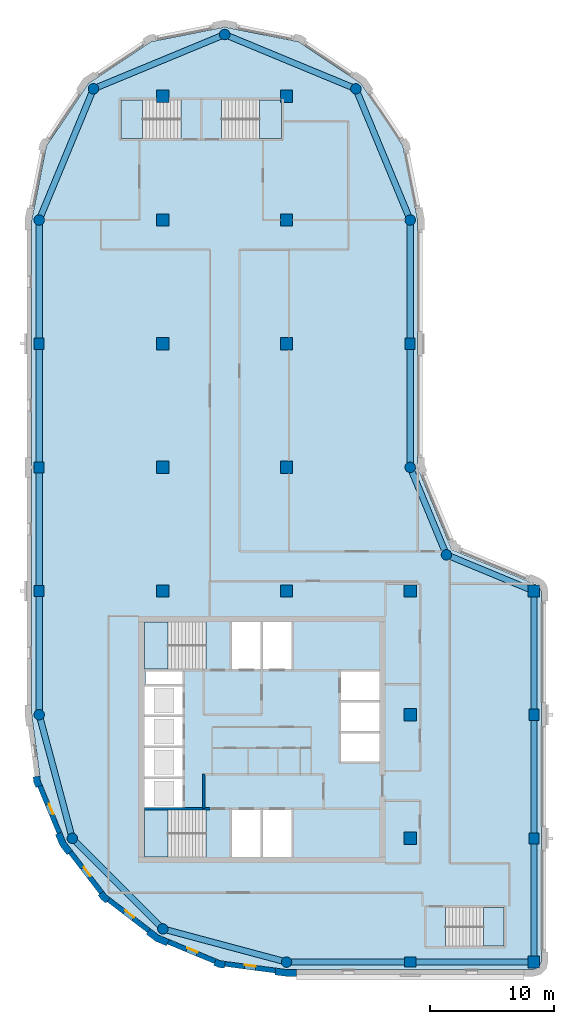
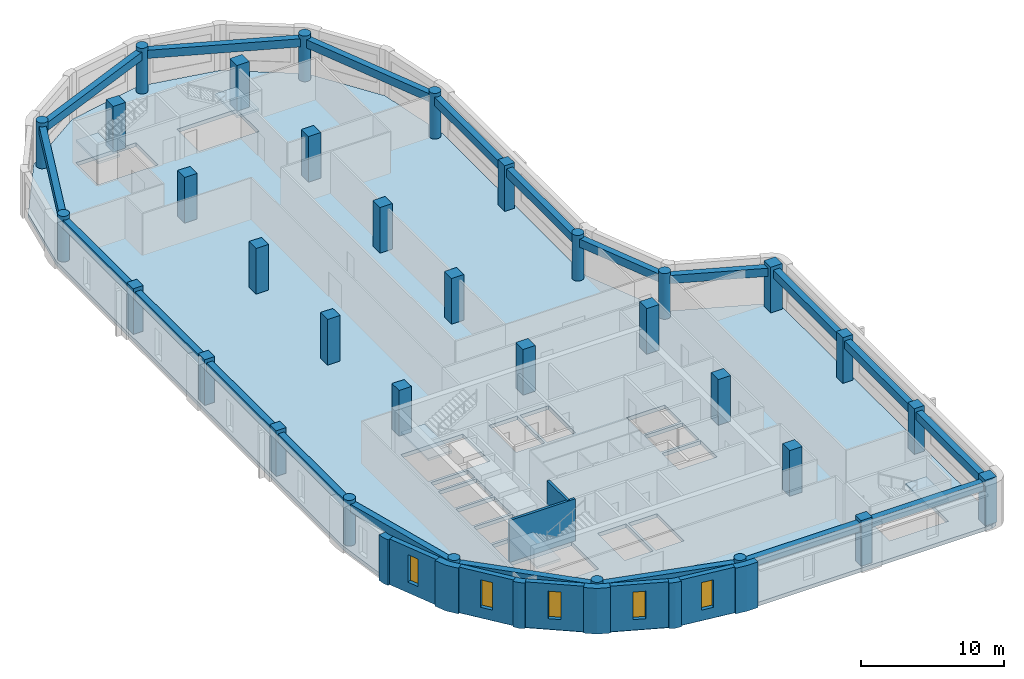
# One storey, part 1 of 8: 33 columns, 20 beams, 13 walls, 6 slabs, 5 windows, 5 openings, 5 elements without a shape of their own.
"""IFC4 building model written with IfcOpenShell, lengths in metres."""

from ifc_helpers import new_model, si_unit, direction, frame, frame_2d, origin, origin_2d, place, context, subcontext, project, spatial, polyline, rectangle, circle, outline, extrude, material, layer, layer_set, material_profile, profile_set, type_object, element, fill, aggregate, save


model = new_model("IFC4")

# Units and contexts
model_context = context("Model", 3, precision=1e-05, world=origin(), true_north=direction((0.0, 1.0)))
body_context = subcontext(model_context, "Body", "Model", "MODEL_VIEW")
ifc_project = project(units=[si_unit("LENGTHUNIT", "METRE"), si_unit("AREAUNIT", "SQUARE_METRE"), si_unit("VOLUMEUNIT", "CUBIC_METRE"), si_unit("PLANEANGLEUNIT", "RADIAN"), si_unit("MASSUNIT", "GRAM", prefix="KILO")], contexts=[model_context])

# Site, building, storey
site_placement = place(None, origin())
site = spatial("IfcSite", under=ifc_project, at=site_placement, CompositionType="ELEMENT")
building_placement = place(site_placement, origin())
building = spatial("IfcBuilding", under=site, at=building_placement, Name="Qaws Garden Tower", CompositionType="ELEMENT")
storey_placement = place(building_placement, frame((0.0, 0.0, 337.199951171875)))
storey = spatial("IfcBuildingStorey", under=building, at=storey_placement, Name="L82", CompositionType="ELEMENT", Elevation=337.199951171875)

# Columns
ifc_material_1 = material(Name="Concrete C60", Category="concrete")
ifc_material_profile_1 = material_profile(ifc_material_1, rectangle(XDim=1.0, YDim=1.0, at=origin_2d()), Name="RC 1000x1000")
ifc_profile_set_1 = profile_set([ifc_material_profile_1], Name="Concrete C60")
column_type_1 = type_object("IfcColumnType", Name="Column RC 1000x1000 C60", PredefinedType="COLUMN", material=ifc_profile_set_1)
for number, where, z_axis, x_axis, name in (
    (1, (10.0, 30.0, 0.0), (0.0, 0.0, 1.0), (1.0, 0.0, 0.0), "Column L82-021"),
    (2, (10.0, 40.0, 0.0), (0.0, 0.0, 1.0), (1.0, 0.0, 0.0), "Column L82-022"),
    (3, (10.0, 50.0, 0.0), (0.0, 0.0, 1.0), (1.0, 0.0, 0.0), "Column L82-023"),
    (4, (10.0, 60.0, 0.0), (0.0, 0.0, 1.0), (1.0, 0.0, 0.0), "Column L82-024"),
    (5, (10.0, 70.0, 0.0), (0.0, 0.0, 1.0), (1.0, 0.0, 0.0), "Column L82-025"),
    (6, (20.0, 30.0, 0.0), (0.0, 0.0, 1.0), (1.0, 0.0, 0.0), "Column L82-026"),
    (7, (20.0, 40.0, 0.0), (0.0, 0.0, 1.0), (1.0, 0.0, 0.0), "Column L82-027"),
    (8, (20.0, 50.0, 0.0), (0.0, 0.0, 1.0), (1.0, 0.0, 0.0), "Column L82-028"),
    (9, (20.0, 60.0, 0.0), (0.0, 0.0, 1.0), (1.0, 0.0, 0.0), "Column L82-029"),
    (10, (20.0, 70.0, 0.0), (0.0, 0.0, 1.0), (1.0, 0.0, 0.0), "Column L82-030"),
    (11, (30.0, 10.0, 0.0), (0.0, 0.0, 1.0), (1.0, 0.0, 0.0), "Column L82-031"),
    (12, (30.0, 20.0, 0.0), (0.0, 0.0, 1.0), (1.0, 0.0, 0.0), "Column L82-032"),
    (13, (30.0, 30.0, 0.0), (0.0, 0.0, 1.0), (1.0, 0.0, 0.0), "Column L82-033"),
):
    element("IfcColumn", number, at=place(storey_placement, frame(where, z_axis=z_axis, x_axis=x_axis)), inside=storey, type_object=column_type_1, Name=name, PredefinedType="COLUMN", context=body_context, shape_type="SweptSolid", body=[
        extrude(rectangle(XDim=1.0, YDim=1.0, at=origin_2d()), origin(), (0.0, 0.0, 1.0), 3.900146484375),
    ])
ifc_material_2 = material(Name="Concrete C60", Category="concrete")
ifc_material_profile_2 = material_profile(ifc_material_2, rectangle(XDim=0.89990234375, YDim=0.800048828125, at=origin_2d()), Name="RC 900x800")
ifc_profile_set_2 = profile_set([ifc_material_profile_2], Name="Concrete C60")
column_type_2 = type_object("IfcColumnType", Name="Column RC 900x800 C60", PredefinedType="COLUMN", material=ifc_profile_set_2)
for number, where, z_axis, x_axis, name in (
    (14, (30.0, 0.0, 0.0), (0.0, 0.0, 1.0), (1.0, 0.0, 0.0), "Column L82-002"),
    (15, (40.0, 10.0, 0.0), (0.0, 0.0, 1.0), (0.0, 1.0, 0.0), "Column L82-004"),
    (16, (40.0, 20.0, 0.0), (0.0, 0.0, 1.0), (0.0, 1.0, 0.0), "Column L82-005"),
    (17, (30.0, 50.0, 0.0), (0.0, 0.0, 1.0), (0.0, 1.0, 0.0), "Column L82-009"),
    (18, (0.0, 50.0, 0.0), (0.0, 0.0, 1.0), (0.0, 1.0, 0.0), "Column L82-015"),
    (19, (0.0, 40.0, 0.0), (0.0, 0.0, 1.0), (0.0, 1.0, 0.0), "Column L82-016"),
    (20, (0.0, 30.0, 0.0), (0.0, 0.0, 1.0), (0.0, 1.0, 0.0), "Column L82-017"),
):
    element("IfcColumn", number, at=place(storey_placement, frame(where, z_axis=z_axis, x_axis=x_axis)), inside=storey, type_object=column_type_2, Name=name, PredefinedType="COLUMN", context=body_context, shape_type="SweptSolid", body=[
        extrude(rectangle(XDim=0.89990234375, YDim=0.800048828125, at=origin_2d()), origin(), (0.0, 0.0, 1.0), 3.900146484375),
    ])
ifc_material_3 = material(Name="Concrete C60", Category="concrete")
ifc_material_profile_3 = material_profile(ifc_material_3, rectangle(XDim=0.949951171875, YDim=0.949951171875, at=origin_2d()), Name="RC 950x950")
ifc_profile_set_3 = profile_set([ifc_material_profile_3], Name="Concrete C60")
column_type_3 = type_object("IfcColumnType", Name="Column RC 950x950 C60", PredefinedType="COLUMN", material=ifc_profile_set_3)
for number, where, z_axis, x_axis, name in (
    (21, (40.0, 0.0, 0.0), (0.0, 0.0, 1.0), (1.0, 0.0, 0.0), "Column L82-003"),
    (22, (40.0, 30.0, 0.0), (0.0, 0.0, 1.0), (1.0, 0.0, 0.0), "Column L82-006"),
):
    element("IfcColumn", number, at=place(storey_placement, frame(where, z_axis=z_axis, x_axis=x_axis)), inside=storey, type_object=column_type_3, Name=name, PredefinedType="COLUMN", context=body_context, shape_type="SweptSolid", body=[
        extrude(rectangle(XDim=0.949951171875, YDim=0.949951171875, at=origin_2d()), origin(), (0.0, 0.0, 1.0), 3.900146484375),
    ])
ifc_material_4 = material(Name="Concrete C60", Category="concrete")
ifc_material_profile_4 = material_profile(ifc_material_4, circle(Radius=0.425048828125, at=origin_2d()), Name="RC D850")
ifc_profile_set_4 = profile_set([ifc_material_profile_4], Name="Concrete C60")
column_type_4 = type_object("IfcColumnType", Name="Column RC D850 C60", PredefinedType="COLUMN", material=ifc_profile_set_4)
for number, where, z_axis, x_axis, name in (
    (23, (20.0, 0.0, 0.0), (0.0, 0.0, 1.0), (1.0, 0.0, 0.0), "Column L82-001"),
    (24, (32.928955078125, 32.928955078125, 0.0), (0.0, 0.0, 1.0), (1.0, 0.0, 0.0), "Column L82-007"),
    (25, (30.0, 40.0, 0.0), (0.0, 0.0, 1.0), (1.0, 0.0, 0.0), "Column L82-008"),
    (26, (30.0, 60.0, 0.0), (0.0, 0.0, 1.0), (1.0, 0.0, 0.0), "Column L82-010"),
    (27, (25.606689453125, 70.606689453125, 0.0), (0.0, 0.0, 1.0), (1.0, 0.0, 0.0), "Column L82-011"),
    (28, (15.0, 75.0, 0.0), (0.0, 0.0, 1.0), (1.0, 0.0, 0.0), "Column L82-012"),
    (29, (4.393310546875, 70.606689453125, 0.0), (0.0, 0.0, 1.0), (1.0, 0.0, 0.0), "Column L82-013"),
    (30, (0.0, 60.0, 0.0), (0.0, 0.0, 1.0), (1.0, 0.0, 0.0), "Column L82-014"),
    (31, (0.0, 20.0, 0.0), (0.0, 0.0, 1.0), (1.0, 0.0, 0.0), "Column L82-018"),
    (32, (2.679443359375, 10.0, 0.0), (0.0, 0.0, 1.0), (1.0, 0.0, 0.0), "Column L82-019"),
    (33, (10.0, 2.679443359375, 0.0), (0.0, 0.0, 1.0), (1.0, 0.0, 0.0), "Column L82-020"),
):
    element("IfcColumn", number, at=place(storey_placement, frame(where, z_axis=z_axis, x_axis=x_axis)), inside=storey, type_object=column_type_4, Name=name, PredefinedType="COLUMN", context=body_context, shape_type="SweptSolid", body=[
        extrude(circle(Radius=0.425048828125, at=origin_2d()), origin(), (0.0, 0.0, 1.0), 3.900146484375),
    ])

# Beams
ifc_material_5 = material(Name="Concrete C45", Category="concrete")
ifc_material_profile_5 = material_profile(ifc_material_5, rectangle(XDim=0.5, YDim=0.699951171875, at=origin_2d()), Name="RC 500x700")
ifc_profile_set_5 = profile_set([ifc_material_profile_5], Name="Concrete C45")
beam_type = type_object("IfcBeamType", Name="Spandrel beam RC 500x700 C45", PredefinedType="SPANDREL", material=ifc_profile_set_5)
for number, where, z_axis, x_axis, name in (
    (34, (20.0, 0.0, 3.22998046875), (1.0, 0.0, 0.0), (0.0, 1.0, 0.0), "Spandrel beam L82-001"),
    (35, (30.0, 0.0, 3.22998046875), (1.0, 0.0, 0.0), (0.0, 1.0, 0.0), "Spandrel beam L82-002"),
    (36, (40.0, 0.0, 3.22998046875), (0.0, 1.0, 0.0), (-1.0, 0.0, 0.0), "Spandrel beam L82-003"),
    (37, (40.0, 10.0, 3.22998046875), (0.0, 1.0, 0.0), (-1.0, 0.0, 0.0), "Spandrel beam L82-004"),
    (38, (40.0, 20.0, 3.22998046875), (0.0, 1.0, 0.0), (-1.0, 0.0, 0.0), "Spandrel beam L82-005"),
):
    element("IfcBeam", number, at=place(storey_placement, frame(where, z_axis=z_axis, x_axis=x_axis)), inside=storey, type_object=beam_type, Name=name, PredefinedType="SPANDREL", context=body_context, shape_type="SweptSolid", body=[
        extrude(rectangle(XDim=0.5, YDim=0.699951171875, at=origin_2d()), origin(), (0.0, 0.0, 1.0), 10.0),
    ])
for number, where, z_axis, x_axis, name in (
    (39, (40.0, 30.0, 3.22998046875), (-0.923878037141, 0.382687042488, 0.0), (-0.382687042488, -0.923878037141, 0.0), "Spandrel beam L82-006"),
    (40, (32.928955078125, 32.928955078125, 3.22998046875), (-0.382687042488, 0.923878037141, 0.0), (-0.923878037141, -0.382687042488, 0.0), "Spandrel beam L82-007"),
):
    element("IfcBeam", number, at=place(storey_placement, frame(where, z_axis=z_axis, x_axis=x_axis)), inside=storey, type_object=beam_type, Name=name, PredefinedType="SPANDREL", context=body_context, shape_type="SweptSolid", body=[
        extrude(rectangle(XDim=0.5, YDim=0.699951171875, at=origin_2d()), origin(), (0.0, 0.0, 1.0), 7.653564453125),
    ])
for number, where, z_axis, x_axis, name in (
    (41, (30.0, 40.0, 3.22998046875), (0.0, 1.0, 0.0), (-1.0, 0.0, 0.0), "Spandrel beam L82-008"),
    (42, (30.0, 50.0, 3.22998046875), (0.0, 1.0, 0.0), (-1.0, 0.0, 0.0), "Spandrel beam L82-009"),
):
    element("IfcBeam", number, at=place(storey_placement, frame(where, z_axis=z_axis, x_axis=x_axis)), inside=storey, type_object=beam_type, Name=name, PredefinedType="SPANDREL", context=body_context, shape_type="SweptSolid", body=[
        extrude(rectangle(XDim=0.5, YDim=0.699951171875, at=origin_2d()), origin(), (0.0, 0.0, 1.0), 10.0),
    ])
for number, where, z_axis, x_axis, name in (
    (43, (30.0, 60.0, 3.22998046875), (-0.382674207535, 0.923883353507, 0.0), (-0.923883353507, -0.382674207535, 0.0), "Spandrel beam L82-010"),
    (44, (25.606689453125, 70.606689453125, 3.22998046875), (-0.923883353507, 0.382674207535, 0.0), (-0.382674207535, -0.923883353507, 0.0), "Spandrel beam L82-011"),
    (45, (15.0, 75.0, 3.22998046875), (-0.923883353507, -0.382674207535, 0.0), (0.382674207535, -0.923883353507, 0.0), "Spandrel beam L82-012"),
    (46, (4.393310546875, 70.606689453125, 3.22998046875), (-0.382674207535, -0.923883353507, 0.0), (0.923883353507, -0.382674207535, 0.0), "Spandrel beam L82-013"),
):
    element("IfcBeam", number, at=place(storey_placement, frame(where, z_axis=z_axis, x_axis=x_axis)), inside=storey, type_object=beam_type, Name=name, PredefinedType="SPANDREL", context=body_context, shape_type="SweptSolid", body=[
        extrude(rectangle(XDim=0.5, YDim=0.699951171875, at=origin_2d()), origin(), (0.0, 0.0, 1.0), 11.48046875),
    ])
for number, where, z_axis, x_axis, name in (
    (47, (0.0, 60.0, 3.22998046875), (0.0, -1.0, 0.0), (1.0, 0.0, 0.0), "Spandrel beam L82-014"),
    (48, (0.0, 50.0, 3.22998046875), (0.0, -1.0, 0.0), (1.0, 0.0, 0.0), "Spandrel beam L82-015"),
    (49, (0.0, 40.0, 3.22998046875), (0.0, -1.0, 0.0), (1.0, 0.0, 0.0), "Spandrel beam L82-016"),
    (50, (0.0, 30.0, 3.22998046875), (0.0, -1.0, 0.0), (1.0, 0.0, 0.0), "Spandrel beam L82-017"),
):
    element("IfcBeam", number, at=place(storey_placement, frame(where, z_axis=z_axis, x_axis=x_axis)), inside=storey, type_object=beam_type, Name=name, PredefinedType="SPANDREL", context=body_context, shape_type="SweptSolid", body=[
        extrude(rectangle(XDim=0.5, YDim=0.699951171875, at=origin_2d()), origin(), (0.0, 0.0, 1.0), 10.0),
    ])
for number, where, z_axis, x_axis, name in (
    (51, (0.0, 20.0, 3.22998046875), (0.25881466832, -0.965926999034, 0.0), (0.965926999034, 0.25881466832, 0.0), "Spandrel beam L82-018"),
    (52, (2.679443359375, 10.0, 3.22998046875), (0.707106781187, -0.707106781187, 0.0), (0.707106781187, 0.707106781187, 0.0), "Spandrel beam L82-019"),
    (53, (10.0, 2.679443359375, 3.22998046875), (0.965926999034, -0.25881466832, 0.0), (0.25881466832, 0.965926999034, 0.0), "Spandrel beam L82-020"),
):
    element("IfcBeam", number, at=place(storey_placement, frame(where, z_axis=z_axis, x_axis=x_axis)), inside=storey, type_object=beam_type, Name=name, PredefinedType="SPANDREL", context=body_context, shape_type="SweptSolid", body=[
        extrude(rectangle(XDim=0.5, YDim=0.699951171875, at=origin_2d()), origin(), (0.0, 0.0, 1.0), 10.352783203125),
    ])

# Slab
ifc_material_6 = material(Name="Concrete C40", Category="concrete")
ifc_layer_1 = layer(ifc_material_6, 0.320068359375)
ifc_layer_set_1 = layer_set([ifc_layer_1], Name="Concrete C40")
slab_type_1 = type_object("IfcSlabType", Name="Floor slab 320 C40", PredefinedType="FLOOR", material=ifc_layer_set_1)
slab_1_placement = place(storey_placement, frame((0.0, 0.0, -0.320068359375)))
element("IfcSlab", 54, at=slab_1_placement, inside=storey, type_object=slab_type_1, Name="Floor slab L82", PredefinedType="FLOOR", context=body_context, shape_type="SweptSolid", body=[
    extrude(outline(polyline([(0.101806640625, 14.668212890625), (-0.60009765625, 20.0), (-0.60009765625, 30.60009765625), (-0.60009765625, 60.0), (-0.60009765625, 60.0), (0.58740234375, 65.969970703125), (3.968994140625, 71.031005859375), (9.030029296875, 74.41259765625), (15.0, 75.60009765625), (20.969970703125, 74.41259765625), (26.031005859375, 71.031005859375), (29.41259765625, 65.969970703125), (30.60009765625, 60.0), (30.60009765625, 40.0), (33.353271484375, 33.353271484375), (40.0, 30.60009765625), (40.42431640625, 30.42431640625), (40.60009765625, 30.0), (40.60009765625, 0.0), (40.42431640625, -0.42431640625), (40.0, -0.60009765625), (30.60009765625, -0.60009765625), (20.0, -0.60009765625), (14.668212890625, 0.101806640625), (9.699951171875, 2.159912109375), (5.43359375, 5.43359375), (2.159912109375, 9.699951171875), (0.101806640625, 14.668212890625)]), holes=[polyline([(13.49951171875, 12.300048828125), (8.5, 12.300048828125), (8.5, 8.5), (13.49951171875, 8.5), (13.49951171875, 12.300048828125)]), polyline([(17.89990234375, 12.300048828125), (15.60009765625, 12.300048828125), (15.60009765625, 8.5), (17.89990234375, 8.5), (17.89990234375, 12.300048828125)]), polyline([(11.60009765625, 14.800048828125), (8.5, 14.800048828125), (8.5, 12.5), (11.60009765625, 12.5), (11.60009765625, 14.800048828125)]), polyline([(11.60009765625, 17.300048828125), (8.5, 17.300048828125), (8.5, 15.0), (11.60009765625, 15.0), (11.60009765625, 17.300048828125)]), polyline([(11.60009765625, 19.800048828125), (8.5, 19.800048828125), (8.5, 17.5), (11.60009765625, 17.5), (11.60009765625, 19.800048828125)]), polyline([(11.60009765625, 22.300048828125), (8.5, 22.300048828125), (8.5, 20.0), (11.60009765625, 20.0), (11.60009765625, 22.300048828125)]), polyline([(11.60009765625, 23.5), (8.60009765625, 23.5), (8.60009765625, 22.5), (11.60009765625, 22.5), (11.60009765625, 23.5)]), polyline([(13.49951171875, 27.5), (8.5, 27.5), (8.5, 23.699951171875), (13.49951171875, 23.699951171875), (13.49951171875, 27.5)]), polyline([(11.449462890625, 69.699951171875), (6.60009765625, 69.699951171875), (6.60009765625, 66.60009765625), (11.449462890625, 66.60009765625), (11.449462890625, 69.699951171875)]), polyline([(37.60009765625, 4.39990234375), (32.8505859375, 4.39990234375), (32.8505859375, 1.300048828125), (37.60009765625, 1.300048828125), (37.60009765625, 4.39990234375)]), polyline([(20.39990234375, 12.300048828125), (18.10009765625, 12.300048828125), (18.10009765625, 8.5), (20.39990234375, 8.5), (20.39990234375, 12.300048828125)]), polyline([(27.5, 18.5), (24.39990234375, 18.5), (24.39990234375, 16.199951171875), (27.5, 16.199951171875), (27.5, 18.5)]), polyline([(27.5, 21.0), (24.39990234375, 21.0), (24.39990234375, 18.699951171875), (27.5, 18.699951171875), (27.5, 21.0)]), polyline([(27.5, 23.5), (24.39990234375, 23.5), (24.39990234375, 21.199951171875), (27.5, 21.199951171875), (27.5, 23.5)]), polyline([(17.89990234375, 27.5), (15.60009765625, 27.5), (15.60009765625, 23.699951171875), (17.89990234375, 23.699951171875), (17.89990234375, 27.5)]), polyline([(20.39990234375, 23.699951171875), (20.39990234375, 27.5), (18.10009765625, 27.5), (18.10009765625, 23.699951171875), (20.39990234375, 23.699951171875)]), polyline([(19.60009765625, 66.60009765625), (19.60009765625, 69.699951171875), (14.75048828125, 69.699951171875), (14.75048828125, 66.60009765625), (19.60009765625, 66.60009765625)])]), origin(), (0.0, 0.0, 1.0), 0.320068359375),
])

# Stair, slab
ifc_material_7 = material(Name="Concrete C40", Category="concrete")
stair_type_1 = type_object("IfcStairType", Name="Exit stair 1500", PredefinedType="HALF_TURN_STAIR", material=ifc_material_7)
placement_1 = place(storey_placement, origin())
stair_1 = element("IfcStair", 55, at=placement_1, inside=storey, type_object=stair_type_1, Name="Stair 1", PredefinedType="HALF_TURN_STAIR")
ifc_material_8 = material(Name="Concrete C40", Category="concrete")
ifc_layer_2 = layer(ifc_material_8, 0.199951171875)
ifc_layer_set_2 = layer_set([ifc_layer_2], Name="Concrete C40")
slab_type_2 = type_object("IfcSlabType", Name="Stair landing 200", PredefinedType="LANDING", material=ifc_layer_set_2)
placement_2 = place(storey_placement, frame((0.0, 0.0, 1.75)))
slab_2 = element("IfcSlab", 56, at=placement_2, type_object=slab_type_2, Name="ST1 landing 1", PredefinedType="LANDING", context=body_context, shape_type="SweptSolid", body=[
    extrude(outline(polyline([(8.5, 8.5), (10.419921875, 8.5), (10.419921875, 12.300048828125), (8.5, 12.300048828125), (8.5, 8.5)])), origin(), (0.0, 0.0, 1.0), 0.199951171875),
])
aggregate(stair_1, [slab_2])

stair_2 = element("IfcStair", 57, at=placement_1, inside=storey, type_object=stair_type_1, Name="Stair 4", PredefinedType="HALF_TURN_STAIR")
slab_3 = element("IfcSlab", 58, at=placement_2, type_object=slab_type_2, Name="ST4 landing 1", PredefinedType="LANDING", context=body_context, shape_type="SweptSolid", body=[
    extrude(outline(polyline([(8.5, 23.699951171875), (10.419921875, 23.699951171875), (10.419921875, 27.5), (8.5, 27.5), (8.5, 23.699951171875)])), origin(), (0.0, 0.0, 1.0), 0.199951171875),
])
aggregate(stair_2, [slab_3])

ifc_material_9 = material(Name="Concrete C40", Category="concrete")
stair_type_2 = type_object("IfcStairType", Name="Exit stair 1350", PredefinedType="HALF_TURN_STAIR", material=ifc_material_9)
stair_3 = element("IfcStair", 59, at=placement_1, inside=storey, type_object=stair_type_2, Name="Stair 5", PredefinedType="HALF_TURN_STAIR")
slab_4 = element("IfcSlab", 60, at=placement_2, type_object=slab_type_2, Name="ST5 landing 1", PredefinedType="LANDING", context=body_context, shape_type="SweptSolid", body=[
    extrude(outline(polyline([(35.929931640625, 1.300048828125), (37.60009765625, 1.300048828125), (37.60009765625, 4.39990234375), (35.929931640625, 4.39990234375), (35.929931640625, 1.300048828125)])), origin(), (0.0, 0.0, 1.0), 0.199951171875),
])
aggregate(stair_3, [slab_4])

stair_4 = element("IfcStair", 61, at=placement_1, inside=storey, type_object=stair_type_2, Name="Stair 6", PredefinedType="HALF_TURN_STAIR")
slab_5 = element("IfcSlab", 62, at=placement_2, type_object=slab_type_2, Name="ST6 landing 1", PredefinedType="LANDING", context=body_context, shape_type="SweptSolid", body=[
    extrude(outline(polyline([(6.60009765625, 66.60009765625), (8.3701171875, 66.60009765625), (8.3701171875, 69.699951171875), (6.60009765625, 69.699951171875), (6.60009765625, 66.60009765625)])), origin(), (0.0, 0.0, 1.0), 0.199951171875),
])
aggregate(stair_4, [slab_5])

stair_5 = element("IfcStair", 63, at=placement_1, inside=storey, type_object=stair_type_2, Name="Stair 7", PredefinedType="HALF_TURN_STAIR")
slab_6 = element("IfcSlab", 64, at=placement_2, type_object=slab_type_2, Name="ST7 landing 1", PredefinedType="LANDING", context=body_context, shape_type="SweptSolid", body=[
    extrude(outline(polyline([(17.830078125, 66.60009765625), (19.60009765625, 66.60009765625), (19.60009765625, 69.699951171875), (17.830078125, 69.699951171875), (17.830078125, 66.60009765625)])), origin(), (0.0, 0.0, 1.0), 0.199951171875),
])
aggregate(stair_5, [slab_6])

# Wall, opening, window
ifc_material_10 = material(Name="Clay facing brick masonry", Category="masonry")
ifc_layer_3 = layer(ifc_material_10, 0.39990234375)
ifc_layer_set_3 = layer_set([ifc_layer_3], Name="Clay facing brick masonry")
wall_type_1 = type_object("IfcWallType", Name="Brick infill wall 400", PredefinedType="SOLIDWALL", material=ifc_layer_set_3)
wall_1_placement = place(storey_placement, frame((0.05712890625, 14.240234375, 0.0), z_axis=(0.0, 0.0, 1.0), x_axis=(0.382721546029, -0.923863744394, 0.0)))
wall_1 = element("IfcWall", 65, at=wall_1_placement, inside=storey, type_object=wall_type_1, Name="E-L82-infill-22", PredefinedType="SOLIDWALL", context=body_context, shape_type="SweptSolid", body=[
    extrude(rectangle(XDim=4.120849609375, YDim=0.39990234375, at=frame_2d((2.060546875, 0.0))), origin(), (0.0, 0.0, 1.0), 3.900146484375),
])
opening_1_placement = place(wall_1_placement, frame((1.610595703125, 0.0, 0.89990234375)))
opening_1 = element("IfcOpeningElement", 66, at=opening_1_placement, cuts=wall_1, Name="Opening W09", PredefinedType="OPENING", context=body_context, shape_type="SweptSolid", body=[
    extrude(rectangle(XDim=0.89990234375, YDim=2.35009765625, at=frame_2d((0.449951171875, 1.175048828125))), frame((0.0, 0.2099609375, 0.0), z_axis=(0.0, -1.0, 0.0), x_axis=(1.0, 0.0, 0.0)), (0.0, 0.0, 1.0), 0.419921875),
])
ifc_material_11 = material(Name="Aluminium framed window, clear glazing", Category="aluminium")
window_type = type_object("IfcWindowType", Name="Slit window 900 x 2350", PartitioningType="SINGLE_PANEL", PredefinedType="WINDOW", material=ifc_material_11)
window_1_placement = place(opening_1_placement, origin())
window_1 = element("IfcWindow", 67, at=window_1_placement, inside=storey, type_object=window_type, Name="E-L82-window-22-0", OverallHeight=2.35009765625, OverallWidth=0.89990234375, PartitioningType="SINGLE_PANEL", PredefinedType="WINDOW", context=body_context, shape_type="SweptSolid", body=[
    extrude(rectangle(XDim=0.89990234375, YDim=2.35009765625, at=frame_2d((0.449951171875, 1.175048828125))), frame((0.0, 0.159912109375, 0.0), z_axis=(0.0, -1.0, 0.0), x_axis=(1.0, 0.0, 0.0)), (0.0, 0.0, 1.0), 0.06005859375),
])
fill(opening_1, window_1)

wall_2_placement = place(storey_placement, frame((2.53173828125, 8.87841796875, 0.0), z_axis=(0.0, 0.0, 1.0), x_axis=(0.608759824817, -0.793354571229, 0.0)))
wall_2 = element("IfcWall", 68, at=wall_2_placement, inside=storey, type_object=wall_type_1, Name="E-L82-infill-23", PredefinedType="SOLIDWALL", context=body_context, shape_type="SweptSolid", body=[
    extrude(rectangle(XDim=4.12109375, YDim=0.39990234375, at=frame_2d((2.060546875, 0.0))), origin(), (0.0, 0.0, 1.0), 3.900146484375),
])
opening_2_placement = place(wall_2_placement, frame((1.610595703125, 0.0, 0.89990234375)))
opening_2 = element("IfcOpeningElement", 69, at=opening_2_placement, cuts=wall_2, Name="Opening W09", PredefinedType="OPENING", context=body_context, shape_type="SweptSolid", body=[
    extrude(rectangle(XDim=0.89990234375, YDim=2.35009765625, at=frame_2d((0.449951171875, 1.175048828125))), frame((0.0, 0.2099609375, 0.0), z_axis=(0.0, -1.0, 0.0), x_axis=(1.0, 0.0, 0.0)), (0.0, 0.0, 1.0), 0.419921875),
])
window_2_placement = place(opening_2_placement, origin())
window_2 = element("IfcWindow", 70, at=window_2_placement, inside=storey, type_object=window_type, Name="E-L82-window-23-0", OverallHeight=2.35009765625, OverallWidth=0.89990234375, PartitioningType="SINGLE_PANEL", PredefinedType="WINDOW", context=body_context, shape_type="SweptSolid", body=[
    extrude(rectangle(XDim=0.89990234375, YDim=2.35009765625, at=frame_2d((0.449951171875, 1.175048828125))), frame((0.0, 0.159912109375, 0.0), z_axis=(0.0, -1.0, 0.0), x_axis=(1.0, 0.0, 0.0)), (0.0, 0.0, 1.0), 0.06005859375),
])
fill(opening_2, window_2)

wall_3_placement = place(storey_placement, frame((5.60888671875, 5.04052734375, 0.0), z_axis=(0.0, 0.0, 1.0), x_axis=(0.793354571229, -0.608759824817, 0.0)))
wall_3 = element("IfcWall", 71, at=wall_3_placement, inside=storey, type_object=wall_type_1, Name="E-L82-infill-24", PredefinedType="SOLIDWALL", context=body_context, shape_type="SweptSolid", body=[
    extrude(rectangle(XDim=4.12109375, YDim=0.39990234375, at=frame_2d((2.060546875, 0.0))), origin(), (0.0, 0.0, 1.0), 3.900146484375),
])
opening_3_placement = place(wall_3_placement, frame((1.610595703125, 0.0, 0.89990234375)))
opening_3 = element("IfcOpeningElement", 72, at=opening_3_placement, cuts=wall_3, Name="Opening W09", PredefinedType="OPENING", context=body_context, shape_type="SweptSolid", body=[
    extrude(rectangle(XDim=0.89990234375, YDim=2.35009765625, at=frame_2d((0.449951171875, 1.175048828125))), frame((0.0, 0.2099609375, 0.0), z_axis=(0.0, -1.0, 0.0), x_axis=(1.0, 0.0, 0.0)), (0.0, 0.0, 1.0), 0.419921875),
])
window_3_placement = place(opening_3_placement, origin())
window_3 = element("IfcWindow", 73, at=window_3_placement, inside=storey, type_object=window_type, Name="E-L82-window-24-0", OverallHeight=2.35009765625, OverallWidth=0.89990234375, PartitioningType="SINGLE_PANEL", PredefinedType="WINDOW", context=body_context, shape_type="SweptSolid", body=[
    extrude(rectangle(XDim=0.89990234375, YDim=2.35009765625, at=frame_2d((0.449951171875, 1.175048828125))), frame((0.0, 0.159912109375, 0.0), z_axis=(0.0, -1.0, 0.0), x_axis=(1.0, 0.0, 0.0)), (0.0, 0.0, 1.0), 0.06005859375),
])
fill(opening_3, window_3)

wall_4_placement = place(storey_placement, frame((10.43310546875, 1.63427734375, 0.0), z_axis=(0.0, 0.0, 1.0), x_axis=(0.923863744394, -0.382721546029, 0.0)))
wall_4 = element("IfcWall", 74, at=wall_4_placement, inside=storey, type_object=wall_type_1, Name="E-L82-infill-25", PredefinedType="SOLIDWALL", context=body_context, shape_type="SweptSolid", body=[
    extrude(rectangle(XDim=4.120849609375, YDim=0.39990234375, at=frame_2d((2.060546875, 0.0))), origin(), (0.0, 0.0, 1.0), 3.900146484375),
])
opening_4_placement = place(wall_4_placement, frame((1.610595703125, 0.0, 0.89990234375)))
opening_4 = element("IfcOpeningElement", 75, at=opening_4_placement, cuts=wall_4, Name="Opening W09", PredefinedType="OPENING", context=body_context, shape_type="SweptSolid", body=[
    extrude(rectangle(XDim=0.89990234375, YDim=2.35009765625, at=frame_2d((0.449951171875, 1.175048828125))), frame((0.0, 0.2099609375, 0.0), z_axis=(0.0, -1.0, 0.0), x_axis=(1.0, 0.0, 0.0)), (0.0, 0.0, 1.0), 0.419921875),
])
window_4_placement = place(opening_4_placement, origin())
window_4 = element("IfcWindow", 76, at=window_4_placement, inside=storey, type_object=window_type, Name="E-L82-window-25-0", OverallHeight=2.35009765625, OverallWidth=0.89990234375, PartitioningType="SINGLE_PANEL", PredefinedType="WINDOW", context=body_context, shape_type="SweptSolid", body=[
    extrude(rectangle(XDim=0.89990234375, YDim=2.35009765625, at=frame_2d((0.449951171875, 1.175048828125))), frame((0.0, 0.159912109375, 0.0), z_axis=(0.0, -1.0, 0.0), x_axis=(1.0, 0.0, 0.0)), (0.0, 0.0, 1.0), 0.06005859375),
])
fill(opening_4, window_4)

wall_5_placement = place(storey_placement, frame((15.0166015625, -0.15087890625, 0.0), z_axis=(0.0, 0.0, 1.0), x_axis=(0.991446429508, -0.130514280502, 0.0)))
wall_5 = element("IfcWall", 77, at=wall_5_placement, inside=storey, type_object=wall_type_1, Name="E-L82-infill-26", PredefinedType="SOLIDWALL", context=body_context, shape_type="SweptSolid", body=[
    extrude(rectangle(XDim=4.120849609375, YDim=0.39990234375, at=frame_2d((2.060546875, 0.0))), origin(), (0.0, 0.0, 1.0), 3.900146484375),
])
opening_5_placement = place(wall_5_placement, frame((1.610595703125, 0.0, 0.89990234375)))
opening_5 = element("IfcOpeningElement", 78, at=opening_5_placement, cuts=wall_5, Name="Opening W09", PredefinedType="OPENING", context=body_context, shape_type="SweptSolid", body=[
    extrude(rectangle(XDim=0.89990234375, YDim=2.35009765625, at=frame_2d((0.449951171875, 1.175048828125))), frame((0.0, 0.2099609375, 0.0), z_axis=(0.0, -1.0, 0.0), x_axis=(1.0, 0.0, 0.0)), (0.0, 0.0, 1.0), 0.419921875),
])
window_5_placement = place(opening_5_placement, origin())
window_5 = element("IfcWindow", 79, at=window_5_placement, inside=storey, type_object=window_type, Name="E-L82-window-26-0", OverallHeight=2.35009765625, OverallWidth=0.89990234375, PartitioningType="SINGLE_PANEL", PredefinedType="WINDOW", context=body_context, shape_type="SweptSolid", body=[
    extrude(rectangle(XDim=0.89990234375, YDim=2.35009765625, at=frame_2d((0.449951171875, 1.175048828125))), frame((0.0, 0.159912109375, 0.0), z_axis=(0.0, -1.0, 0.0), x_axis=(1.0, 0.0, 0.0)), (0.0, 0.0, 1.0), 0.06005859375),
])
fill(opening_5, window_5)

# Walls
ifc_material_12 = material(Name="Clay facing brick masonry", Category="masonry")
ifc_layer_4 = layer(ifc_material_12, 0.550048828125)
ifc_layer_set_4 = layer_set([ifc_layer_4], Name="Clay facing brick masonry")
wall_type_2 = type_object("IfcWallType", Name="Brick kink pier 550 x 600", PredefinedType="SOLIDWALL", material=ifc_layer_set_4)
element("IfcWall", 80, at=placement_1, inside=storey, type_object=wall_type_2, Name="E-L82-pier-22", PredefinedType="SOLIDWALL", context=body_context, shape_type="SweptSolid", body=[
    extrude(outline(polyline([(-0.34912109375, 14.990478515625), (-0.497802734375, 14.970947265625), (-0.43896484375, 14.5234375), (-0.26611328125, 14.1064453125), (-0.127685546875, 14.163818359375), (0.241943359375, 14.31689453125), (0.096923828125, 14.6669921875), (0.04736328125, 15.042724609375), (-0.34912109375, 14.990478515625)])), origin(), (0.0, 0.0, 1.0), 3.900146484375),
])
element("IfcWall", 81, at=placement_1, inside=storey, type_object=wall_type_2, Name="E-L82-pier-24", PredefinedType="SOLIDWALL", context=body_context, shape_type="SweptSolid", body=[
    extrude(outline(polyline([(4.8818359375, 5.487060546875), (4.762939453125, 5.395751953125), (5.03759765625, 5.03759765625), (5.395751953125, 4.762939453125), (5.487060546875, 4.8818359375), (5.730712890625, 5.19921875), (5.429931640625, 5.429931640625), (5.19921875, 5.730712890625), (4.8818359375, 5.487060546875)])), origin(), (0.0, 0.0, 1.0), 3.900146484375),
])
element("IfcWall", 82, at=placement_1, inside=storey, type_object=wall_type_2, Name="E-L82-pier-26", PredefinedType="SOLIDWALL", context=body_context, shape_type="SweptSolid", body=[
    extrude(outline(polyline([(14.163818359375, -0.127685546875), (14.1064453125, -0.26611328125), (14.5234375, -0.43896484375), (14.970947265625, -0.497802734375), (14.990478515625, -0.34912109375), (15.042724609375, 0.04736328125), (14.6669921875, 0.096923828125), (14.31689453125, 0.241943359375), (14.163818359375, -0.127685546875)])), origin(), (0.0, 0.0, 1.0), 3.900146484375),
])
ifc_material_13 = material(Name="Clay facing brick masonry", Category="masonry")
ifc_layer_5 = layer(ifc_material_13, 0.550048828125)
ifc_layer_set_5 = layer_set([ifc_layer_5], Name="Clay facing brick masonry")
wall_type_3 = type_object("IfcWallType", Name="Brick pier 550 x 1600", PredefinedType="SOLIDWALL", material=ifc_layer_set_5)
element("IfcWall", 83, at=placement_1, inside=storey, type_object=wall_type_3, Name="E-L82-pier-00", PredefinedType="SOLIDWALL", context=body_context, shape_type="SweptSolid", body=[
    extrude(outline(polyline([(19.076416015625, -0.886962890625), (19.056640625, -1.03564453125), (19.924560546875, -1.14990234375), (20.800048828125, -1.14990234375), (20.800048828125, -1.0), (20.800048828125, -0.60009765625), (19.960693359375, -0.60009765625), (19.12841796875, -0.490478515625), (19.076416015625, -0.886962890625)])), origin(), (0.0, 0.0, 1.0), 3.900146484375),
])
element("IfcWall", 84, at=placement_1, inside=storey, type_object=wall_type_3, Name="E-L82-pier-23", PredefinedType="SOLIDWALL", context=body_context, shape_type="SweptSolid", body=[
    extrude(outline(polyline([(1.449462890625, 10.3564453125), (1.310791015625, 10.299072265625), (1.675048828125, 9.419921875), (2.254150390625, 8.665283203125), (2.373046875, 8.756591796875), (2.6904296875, 9.0), (2.1552734375, 9.697509765625), (1.819091796875, 10.509521484375), (1.449462890625, 10.3564453125)])), origin(), (0.0, 0.0, 1.0), 3.900146484375),
])
element("IfcWall", 85, at=placement_1, inside=storey, type_object=wall_type_3, Name="E-L82-pier-25", PredefinedType="SOLIDWALL", context=body_context, shape_type="SweptSolid", body=[
    extrude(outline(polyline([(8.756591796875, 2.373046875), (8.665283203125, 2.254150390625), (9.419921875, 1.675048828125), (10.299072265625, 1.310791015625), (10.3564453125, 1.449462890625), (10.509521484375, 1.819091796875), (9.697509765625, 2.1552734375), (9.0, 2.6904296875), (8.756591796875, 2.373046875)])), origin(), (0.0, 0.0, 1.0), 3.900146484375),
])
ifc_material_14 = material(Name="Concrete C60", Category="concrete")
ifc_layer_6 = layer(ifc_material_14, 0.199951171875)
ifc_layer_set_6 = layer_set([ifc_layer_6], Name="Concrete C60")
wall_type_4 = type_object("IfcWallType", Name="Core shaft wall 200 C60", PredefinedType="SHEAR", material=ifc_layer_set_6)
wall_12_placement = place(storey_placement, frame((8.5, 12.39990234375, 0.0), z_axis=(0.0, 0.0, 1.0), x_axis=(1.0, 0.0, 0.0)))
element("IfcWall", 86, at=wall_12_placement, inside=storey, type_object=wall_type_4, Name="Shaft wall", PredefinedType="SHEAR", context=body_context, shape_type="SweptSolid", body=[
    extrude(rectangle(XDim=5.300048828125, YDim=0.199951171875, at=frame_2d((2.64990234375, 0.0))), origin(), (0.0, 0.0, 1.0), 3.580078125),
])
wall_13_placement = place(storey_placement, frame((13.300048828125, 12.39990234375, 0.0), z_axis=(0.0, 0.0, 1.0), x_axis=(0.0, 1.0, 0.0)))
element("IfcWall", 87, at=wall_13_placement, inside=storey, type_object=wall_type_4, Name="Shaft wall", PredefinedType="SHEAR", context=body_context, shape_type="SweptSolid", body=[
    extrude(rectangle(XDim=2.800048828125, YDim=0.199951171875, at=frame_2d((1.39990234375, 0.0))), origin(), (0.0, 0.0, 1.0), 3.580078125),
])

save(model, "model.ifc")
